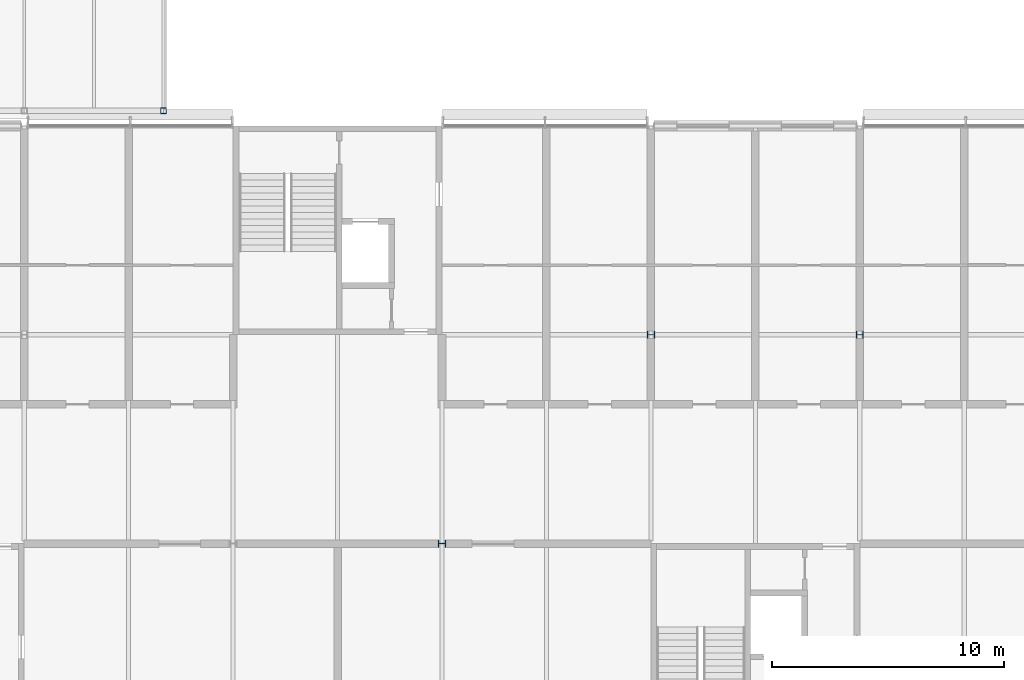
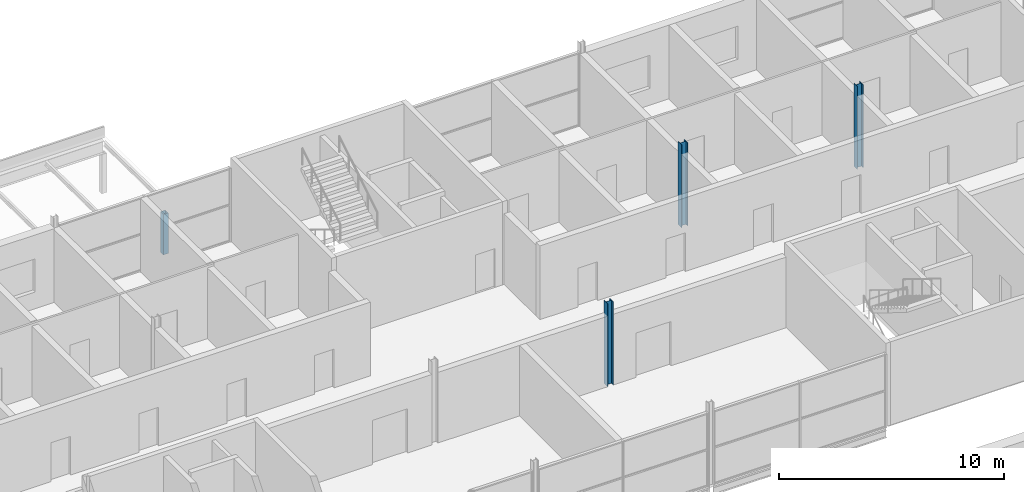
# One storey, part 19 of 97: 4 columns.
"""IFC4 building model written with IfcOpenShell, lengths in metres."""

from ifc_helpers import new_model, si_unit, direction, frame, origin, origin_2d, place, context, subcontext, project, spatial, hollow_rectangle, i_section, extrude, material, material_profile, profile_set, type_object, element, save


model = new_model("IFC4")

# Units and contexts
model_context = context("Model", 3, precision=1e-05, world=origin(), true_north=direction((0.0, 1.0)))
body_context = subcontext(model_context, "Body", "Model", "MODEL_VIEW")
ifc_project = project(units=[si_unit("LENGTHUNIT", "METRE"), si_unit("AREAUNIT", "SQUARE_METRE"), si_unit("VOLUMEUNIT", "CUBIC_METRE"), si_unit("PLANEANGLEUNIT", "RADIAN"), si_unit("MASSUNIT", "GRAM", prefix="KILO")], contexts=[model_context])

# Site, building, storey
site_placement = place(None, origin())
site = spatial("IfcSite", under=ifc_project, at=site_placement, CompositionType="ELEMENT")
building_placement = place(site_placement, origin())
building = spatial("IfcBuilding", under=site, at=building_placement, Name="Corbel Yard City Hall", CompositionType="ELEMENT")
storey_placement = place(building_placement, frame((0.0, 0.0, 6.0)))
storey = spatial("IfcBuildingStorey", under=building, at=storey_placement, Name="L01", CompositionType="ELEMENT", Elevation=6.0)

# Columns
ifc_material_1 = material(Name="Steel Grade 300 (300 MPa yield)", Category="steel")
ifc_material_profile_1 = material_profile(ifc_material_1, i_section(OverallWidth=0.306884765625, OverallDepth=0.31494140625, WebThickness=0.011962890625, FlangeThickness=0.018798828125, at=origin_2d()), Name="310UC118")
ifc_profile_set_1 = profile_set([ifc_material_profile_1], Name="Steel Grade 300 (300 MPa yield)")
column_type_1 = type_object("IfcColumnType", Name="Column 310UC118", PredefinedType="COLUMN", material=ifc_profile_set_1)
for number, where, z_axis, x_axis, name in (
    (1, (108.0, 99.0, 0.0), (0.0, 0.0, 1.0), (0.0, 1.0, 0.0), "Column 310UC118 L/13 L01"),
    (2, (117.0, 108.0, 0.0), (0.0, 0.0, 1.0), (0.0, 1.0, 0.0), "Column 310UC118 M/14 L01"),
    (3, (126.0, 108.0, 0.0), (0.0, 0.0, 1.0), (0.0, 1.0, 0.0), "Column 310UC118 M/15 L01"),
):
    element("IfcColumn", number, at=place(storey_placement, frame(where, z_axis=z_axis, x_axis=x_axis)), inside=storey, type_object=column_type_1, Name=name, PredefinedType="COLUMN", context=body_context, shape_type="SweptSolid", body=[
        extrude(i_section(OverallWidth=0.306884765625, OverallDepth=0.31494140625, WebThickness=0.011962890625, FlangeThickness=0.018798828125, at=origin_2d()), origin(), (0.0, 0.0, 1.0), 4.5),
    ])
ifc_material_2 = material(Name="Steel Grade C450L0", Category="steel")
ifc_material_profile_2 = material_profile(ifc_material_2, hollow_rectangle(XDim=0.25, YDim=0.25, WallThickness=0.012451171875, at=origin_2d()), Name="250x250x12.5SHS")
ifc_profile_set_2 = profile_set([ifc_material_profile_2], Name="Steel Grade C450L0")
column_type_2 = type_object("IfcColumnType", Name="Portico Column 250x250x12.5SHS", PredefinedType="COLUMN", material=ifc_profile_set_2)
column_placement = place(storey_placement, frame((96.0, 117.64990234375, 0.0), z_axis=(0.0, 0.0, 1.0), x_axis=(1.0, 0.0, 0.0)))
element("IfcColumn", 4, at=column_placement, inside=storey, type_object=column_type_2, Name="Portico Column B04", PredefinedType="COLUMN", context=body_context, shape_type="SweptSolid", body=[
    extrude(hollow_rectangle(XDim=0.25, YDim=0.25, WallThickness=0.012451171875, at=origin_2d()), origin(), (0.0, 0.0, 1.0), 2.199951171875),
])

save(model, "model.ifc")
